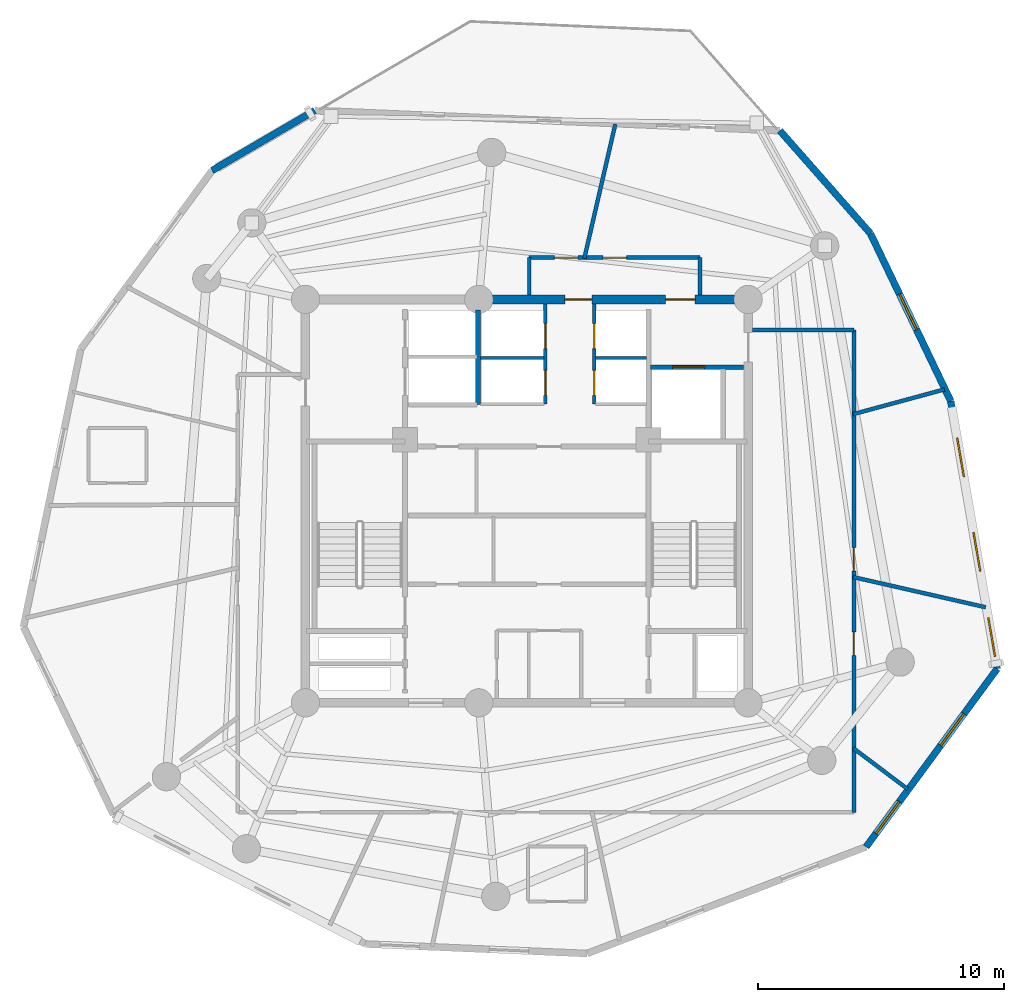
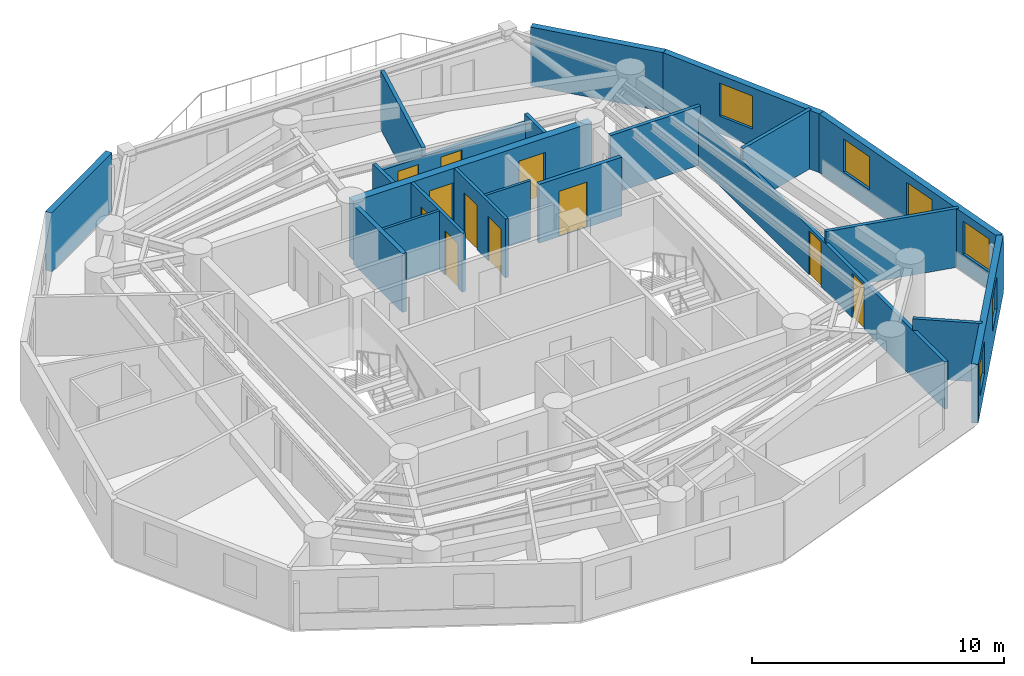
# One storey, part 5 of 8: 21 walls, 11 doors, 6 windows, 17 openings.
"""IFC4 building model written with IfcOpenShell, lengths in metres."""

import ifcopenshell
import ifcopenshell.guid

model = None  # the IFC model being written
_history = None  # IfcOwnerHistory: only IFC2X3 demands one
_inside = {}  # id of a spatial element -> (the spatial element, [elements in it])
_under = {}  # id of a project, library or spatial element -> (it, [spatial elements below it])
_declared = {}  # id of a project -> (the project, [libraries it declares])
_typed = {}  # id of a type object -> (the type object, [elements of that type])
_made_of = {}  # id of a material, layer set ... -> (it, [elements and type objects made of it])


def new_model(schema):
    """Start an empty IFC model of exactly this schema.

    Asked for "IFC4X3", IfcOpenShell would pick the latest addendum, in which some entities
    have other attributes; the version numbers below select the first issue.
    IFC2X3 requires an IfcOwnerHistory on every rooted entity: one is made here for all.
    """
    global model, _history
    if schema == "IFC4X3":
        model = ifcopenshell.file(schema_version=(4, 3, 0, 0))
    else:
        model = ifcopenshell.file(schema=schema)
    _inside.clear()
    _under.clear()
    _declared.clear()
    _typed.clear()
    _made_of.clear()
    _history = None
    if model.schema == "IFC2X3":
        org = make("IfcOrganization", Name="unknown")
        user = make(
            "IfcPersonAndOrganization",
            ThePerson=make("IfcPerson", FamilyName="unknown"),
            TheOrganization=org,
        )
        app = make(
            "IfcApplication",
            ApplicationDeveloper=org,
            Version="unknown",
            ApplicationFullName="unknown",
            ApplicationIdentifier="unknown",
        )
        _history = make(
            "IfcOwnerHistory",
            OwningUser=user,
            OwningApplication=app,
            ChangeAction="ADDED",
            CreationDate=0,
        )
    return model


def make(cls, **values):
    """One entity of the class cls with the attributes given. An attribute that is None is left unset."""
    return model.create_entity(
        cls, **{name: value for name, value in values.items() if value is not None}
    )


def rooted(cls, **values):
    """An entity with a GlobalId (a new one), such as an element, a storey or a relation."""
    return make(cls, GlobalId=ifcopenshell.guid.new(), OwnerHistory=_history, **values)


def si_unit(unit_type, name, prefix=None):
    """IfcSIUnit, for example si_unit("LENGTHUNIT", "METRE", prefix="MILLI")."""
    return make("IfcSIUnit", UnitType=unit_type, Prefix=prefix, Name=name)


def assignment(units):
    """IfcUnitAssignment: the units of a project."""
    return None if units is None else make("IfcUnitAssignment", Units=units)


def point(xyz):
    """IfcCartesianPoint."""
    return None if xyz is None else make("IfcCartesianPoint", Coordinates=xyz)


def direction(xyz):
    """IfcDirection."""
    return None if xyz is None else make("IfcDirection", DirectionRatios=xyz)


def frame(location, z_axis=None, x_axis=None):
    """IfcAxis2Placement3D, a coordinate frame: its origin and axes. An axis left out is left unset."""
    return make(
        "IfcAxis2Placement3D",
        Location=point(location),
        Axis=direction(z_axis),
        RefDirection=direction(x_axis),
    )


def frame_2d(location, x_axis=None):
    """IfcAxis2Placement2D, a coordinate frame in the plane: its origin and x axis."""
    return make(
        "IfcAxis2Placement2D", Location=point(location), RefDirection=direction(x_axis)
    )


def origin():
    """The frame at (0, 0, 0) with its axes left unset."""
    return frame((0.0, 0.0, 0.0))


def origin_with_axes():
    """The frame at (0, 0, 0) with the z axis (0, 0, 1) and the x axis (1, 0, 0) written out."""
    return frame((0.0, 0.0, 0.0), z_axis=(0.0, 0.0, 1.0), x_axis=(1.0, 0.0, 0.0))


def place(relative_to, where):
    """IfcLocalPlacement: puts the frame where relative to a parent placement (None: the world)."""
    return make(
        "IfcLocalPlacement", PlacementRelTo=relative_to, RelativePlacement=where
    )


def context(
    kind, dimensions, precision=None, world=None, true_north=None, identifier=None
):
    """IfcGeometricRepresentationContext, for example the 3D "Model" context."""
    return make(
        "IfcGeometricRepresentationContext",
        ContextIdentifier=identifier,
        ContextType=kind,
        CoordinateSpaceDimension=dimensions,
        Precision=precision,
        WorldCoordinateSystem=world,
        TrueNorth=true_north,
    )


def subcontext(parent, identifier, kind, view, scale=None):
    """IfcGeometricRepresentationSubContext, for example "Body" below "Model"."""
    return make(
        "IfcGeometricRepresentationSubContext",
        ContextIdentifier=identifier,
        ContextType=kind,
        ParentContext=parent,
        TargetScale=scale,
        TargetView=view,
    )


def project(units=None, contexts=None):
    """IfcProject with its units and contexts."""
    return rooted(
        "IfcProject",
        Name="project",
        RepresentationContexts=contexts,
        UnitsInContext=assignment(units),
    )


def spatial(cls, under=None, at=None, **own):
    """A site, building, storey or space (cls), placed at a placement, below another one or the project."""
    s = rooted(cls, ObjectPlacement=at, **own)
    if under is not None:
        _under.setdefault(under.id(), (under, []))[1].append(s)
    return s


def profile(cls, at=None, kind="AREA", **sizes):
    """A parametric profile (cls). Its sizes go by their IFC names, for example OverallWidth=200.0."""
    return make(cls, ProfileType=kind, Position=at, **sizes)


def rectangle(**sizes):
    """IfcRectangleProfileDef."""
    return profile("IfcRectangleProfileDef", **sizes)


def extrude(swept, where, along, depth):
    """IfcExtrudedAreaSolid: the profile swept, set in the frame where, extruded along a direction by depth."""
    return make(
        "IfcExtrudedAreaSolid",
        SweptArea=swept,
        Position=where,
        ExtrudedDirection=direction(along),
        Depth=depth,
    )


def shape(context_of_items, identifier, shape_type, items):
    """IfcShapeRepresentation: the items that make up one representation, for example the "Body"."""
    return make(
        "IfcShapeRepresentation",
        ContextOfItems=context_of_items,
        RepresentationIdentifier=identifier,
        RepresentationType=shape_type,
        Items=items,
    )


def source(mapping_origin, context_of_items, identifier, shape_type, items):
    """IfcRepresentationMap: a shape defined once, which mapped items show again and again."""
    return make(
        "IfcRepresentationMap",
        MappingOrigin=mapping_origin,
        MappedRepresentation=shape(context_of_items, identifier, shape_type, items),
    )


def transform(
    local_origin,
    x_axis=None,
    y_axis=None,
    z_axis=None,
    scale=None,
    scale2=None,
    scale3=None,
    uniform=True,
):
    """IfcCartesianTransformationOperator3D, or its non-uniform kind. x_axis, y_axis, z_axis: its Axis1, 2, 3."""
    if uniform:
        return make(
            "IfcCartesianTransformationOperator3D",
            Axis1=direction(x_axis),
            Axis2=direction(y_axis),
            LocalOrigin=point(local_origin),
            Scale=scale,
            Axis3=direction(z_axis),
        )
    return make(
        "IfcCartesianTransformationOperator3DnonUniform",
        Axis1=direction(x_axis),
        Axis2=direction(y_axis),
        LocalOrigin=point(local_origin),
        Scale=scale,
        Axis3=direction(z_axis),
        Scale2=scale2,
        Scale3=scale3,
    )


def mapped(mapping_source, mapping_target):
    """IfcMappedItem: shows the shape of a source again, moved by a transform."""
    return make(
        "IfcMappedItem", MappingSource=mapping_source, MappingTarget=mapping_target
    )


def material(Name=None, Category=None):
    """IfcMaterial."""
    return make("IfcMaterial", Name=Name, Category=Category)


def layer(
    of_material, thickness, ventilated=None, Name=None, Category=None, Priority=None
):
    """IfcMaterialLayer: one layer of a wall or slab, of a material (None: an air gap)."""
    return make(
        "IfcMaterialLayer",
        Material=of_material,
        LayerThickness=thickness,
        IsVentilated=ventilated,
        Name=Name,
        Category=Category,
        Priority=Priority,
    )


def layer_set(layers, Name=None):
    """IfcMaterialLayerSet."""
    return make("IfcMaterialLayerSet", MaterialLayers=layers, LayerSetName=Name)


def made_of(thing, what):
    """Note that an element or type object is made of a material, layer set ...; save() writes the relation."""
    if what is not None:
        _made_of.setdefault(what.id(), (what, []))[1].append(thing)
    return thing


def type_object(cls, material=None, **own):
    """A type object (cls), such as IfcWallType, which elements share."""
    return made_of(rooted(cls, **own), material)


def element(
    cls,
    number,
    at=None,
    inside=None,
    cuts=None,
    type_object=None,
    material=None,
    context=None,
    identifier="Body",
    shape_type=None,
    held_by="IfcProductDefinitionShape",
    body=None,
    shapes=None,
    **own,
):
    """One element of the class cls, such as IfcWall. Its Tag is "e" and its number.

    at: its placement. inside: the storey or other place that contains it. cuts: it is an
    opening in that element (IfcRelVoidsElement). A single representation is given by context,
    identifier, shape_type and body (its items); several are given by shapes. held_by: the class
    of the entity that holds the representations. save() writes the other relations.
    """
    e = rooted(cls, Tag="e%d" % number, ObjectPlacement=at, **own)
    if body is not None:
        shapes = [shape(context, identifier, shape_type, body)]
    if shapes is not None:
        e.Representation = make(held_by, Representations=shapes)
    if inside is not None:
        _inside.setdefault(inside.id(), (inside, []))[1].append(e)
    if cuts is not None:
        rooted(
            "IfcRelVoidsElement", RelatingBuildingElement=cuts, RelatedOpeningElement=e
        )
    if type_object is not None:
        _typed.setdefault(type_object.id(), (type_object, []))[1].append(e)
    return made_of(e, material)


def fill(opening, filler):
    """IfcRelFillsElement: the door or window that sits in an opening."""
    return rooted(
        "IfcRelFillsElement",
        RelatingOpeningElement=opening,
        RelatedBuildingElement=filler,
    )


def aggregate(whole, parts):
    """IfcRelAggregates: a whole, such as a stair, and the parts it consists of."""
    return rooted("IfcRelAggregates", RelatingObject=whole, RelatedObjects=parts)


def save(model, path):
    """Write the relations noted so far, then the file.

    IfcRelAggregates (storeys below a building ...), IfcRelContainedInSpatialStructure (elements
    in a storey), IfcRelDefinesByType, IfcRelAssociatesMaterial and IfcRelDeclares: one each for
    every whole, place, type object, material and project.
    """
    for whole, parts in _under.values():
        aggregate(whole, parts)
    for where, things in _inside.values():
        rooted(
            "IfcRelContainedInSpatialStructure",
            RelatedElements=things,
            RelatingStructure=where,
        )
    for kind, things in _typed.values():
        rooted("IfcRelDefinesByType", RelatedObjects=things, RelatingType=kind)
    for what, things in _made_of.values():
        rooted("IfcRelAssociatesMaterial", RelatedObjects=things, RelatingMaterial=what)
    for by, libraries in _declared.values():
        rooted("IfcRelDeclares", RelatingContext=by, RelatedDefinitions=libraries)
    model.write(path)


model = new_model("IFC4")

# Units and contexts
model_context = context("Model", 3, precision=1e-05, world=origin(), true_north=direction((0.0, 1.0)))
body_context = subcontext(model_context, "Body", "Model", "MODEL_VIEW")
ifc_project = project(units=[si_unit("LENGTHUNIT", "METRE"), si_unit("AREAUNIT", "SQUARE_METRE"), si_unit("VOLUMEUNIT", "CUBIC_METRE"), si_unit("PLANEANGLEUNIT", "RADIAN"), si_unit("MASSUNIT", "GRAM", prefix="KILO")], contexts=[model_context])

# Site, building, storey
site_placement = place(None, origin())
site = spatial("IfcSite", under=ifc_project, at=site_placement, CompositionType="ELEMENT")
building_placement = place(site_placement, origin())
building = spatial("IfcBuilding", under=site, at=building_placement, Name="Karkom Vertical University and Central Library", CompositionType="ELEMENT")
storey_placement = place(building_placement, frame((0.0, 0.0, 250.449951171875)))
storey = spatial("IfcBuildingStorey", under=building, at=storey_placement, Name="L74", CompositionType="ELEMENT", Elevation=250.449951171875)

# Wall, openings, windows
ifc_material_1 = material(Name="Brick-faced precast concrete C45/55", Category="masonry")
ifc_layer_1 = layer(ifc_material_1, 0.280029296875)
ifc_layer_set_1 = layer_set([ifc_layer_1], Name="Brick-faced precast concrete C45/55")
wall_type_1 = type_object("IfcWallType", Name="ENV-WL-BRK-280", PredefinedType="SOLIDWALL", material=ifc_layer_set_1)
wall_1_placement = place(storey_placement, frame((42.2958984375, 12.438720703125, 0.0), z_axis=(0.0, 0.0, 1.0), x_axis=(0.592559902782, 0.805526387907, 0.0)))
wall_1 = element("IfcWall", 1, at=wall_1_placement, inside=storey, type_object=wall_type_1, Name="Level 74 Brick-Faced Precast Facade Wall 04", PredefinedType="SOLIDWALL", context=body_context, shape_type="SweptSolid", body=[
    extrude(rectangle(XDim=8.993408203125, YDim=0.280029296875, at=frame_2d((4.49658203125, 0.0))), origin(), (0.0, 0.0, 1.0), 2.85009765625),
])
opening_1_placement = place(wall_1_placement, frame((0.6796875, 0.0, 0.85009765625)))
opening_1 = element("IfcOpeningElement", 2, at=opening_1_placement, cuts=wall_1, Name="Opening WN-10", PredefinedType="OPENING", context=body_context, shape_type="SweptSolid", body=[
    extrude(rectangle(XDim=1.60009765625, YDim=1.60009765625, at=frame_2d((0.800048828125, 0.800048828125))), frame((0.0, 0.14990234375, 0.0), z_axis=(0.0, -1.0, 0.0), x_axis=(1.0, 0.0, 0.0)), (0.0, 0.0, 1.0), 0.300048828125),
])
opening_2_placement = place(wall_1_placement, frame((5.116455078125, 0.0, 0.85009765625)))
opening_2 = element("IfcOpeningElement", 3, at=opening_2_placement, cuts=wall_1, Name="Opening WN-10", PredefinedType="OPENING", context=body_context, shape_type="SweptSolid", body=[
    extrude(rectangle(XDim=1.60009765625, YDim=1.60009765625, at=frame_2d((0.800048828125, 0.800048828125))), frame((0.0, 0.14990234375, 0.0), z_axis=(0.0, -1.0, 0.0), x_axis=(1.0, 0.0, 0.0)), (0.0, 0.0, 1.0), 0.300048828125),
])
ifc_material_2 = material(Name="Aluminium thermal-break frame with solar-control IGU", Category="aluminium")
window_type = type_object("IfcWindowType", Name="ENV-WIN-WN-10", PartitioningType="SINGLE_PANEL", PredefinedType="WINDOW", material=ifc_material_2)
shared_shape_1 = source(origin_with_axes(), body_context, "Body", "SweptSolid", [
    extrude(rectangle(XDim=1.60009765625, YDim=1.60009765625, at=frame_2d((0.800048828125, 0.800048828125))), frame((0.0, 0.030029296875, 0.0), z_axis=(0.0, -1.0, 0.0), x_axis=(1.0, 0.0, 0.0)), (0.0, 0.0, 1.0), 0.06005859375),
])
window_1_placement = place(opening_1_placement, origin())
window_1 = element("IfcWindow", 4, at=window_1_placement, inside=storey, type_object=window_type, Name="Level 74 Punched Window 4.1", OverallHeight=1.60009765625, OverallWidth=1.60009765625, PartitioningType="SINGLE_PANEL", PredefinedType="WINDOW", context=body_context, shape_type="MappedRepresentation", body=[
    mapped(shared_shape_1, transform((0.0, 0.0, 0.0), scale=1.0)),
])
fill(opening_1, window_1)
window_2_placement = place(opening_2_placement, origin())
window_2 = element("IfcWindow", 5, at=window_2_placement, inside=storey, type_object=window_type, Name="Level 74 Punched Window 4.2", OverallHeight=1.60009765625, OverallWidth=1.60009765625, PartitioningType="SINGLE_PANEL", PredefinedType="WINDOW", context=body_context, shape_type="MappedRepresentation", body=[
    mapped(shared_shape_1, transform((0.0, 0.0, 0.0), scale=1.0)),
])
fill(opening_2, window_2)

wall_2_placement = place(storey_placement, frame((47.625, 19.68310546875, 0.0), z_axis=(0.0, 0.0, 1.0), x_axis=(-0.170672613097, 0.985327792736, 0.0)))
wall_2 = element("IfcWall", 6, at=wall_2_placement, inside=storey, type_object=wall_type_1, Name="Level 74 Brick-Faced Precast Facade Wall 05", PredefinedType="SOLIDWALL", context=body_context, shape_type="SweptSolid", body=[
    extrude(rectangle(XDim=11.05029296875, YDim=0.280029296875, at=frame_2d((5.525146484375, 0.0))), origin(), (0.0, 0.0, 1.0), 2.85009765625),
])
opening_3_placement = place(wall_2_placement, frame((0.5087890625, 0.0, 0.85009765625)))
opening_3 = element("IfcOpeningElement", 7, at=opening_3_placement, cuts=wall_2, Name="Opening WN-10", PredefinedType="OPENING", context=body_context, shape_type="SweptSolid", body=[
    extrude(rectangle(XDim=1.60009765625, YDim=1.60009765625, at=frame_2d((0.800048828125, 0.800048828125))), frame((0.0, 0.14990234375, 0.0), z_axis=(0.0, -1.0, 0.0), x_axis=(1.0, 0.0, 0.0)), (0.0, 0.0, 1.0), 0.300048828125),
])
opening_4_placement = place(wall_2_placement, frame((4.025634765625, 0.0, 0.85009765625)))
opening_4 = element("IfcOpeningElement", 8, at=opening_4_placement, cuts=wall_2, Name="Opening WN-10", PredefinedType="OPENING", context=body_context, shape_type="SweptSolid", body=[
    extrude(rectangle(XDim=1.60009765625, YDim=1.60009765625, at=frame_2d((0.800048828125, 0.800048828125))), frame((0.0, 0.14990234375, 0.0), z_axis=(0.0, -1.0, 0.0), x_axis=(1.0, 0.0, 0.0)), (0.0, 0.0, 1.0), 0.300048828125),
])
opening_5_placement = place(wall_2_placement, frame((7.922119140625, 0.0, 0.85009765625)))
opening_5 = element("IfcOpeningElement", 9, at=opening_5_placement, cuts=wall_2, Name="Opening WN-10", PredefinedType="OPENING", context=body_context, shape_type="SweptSolid", body=[
    extrude(rectangle(XDim=1.60009765625, YDim=1.60009765625, at=frame_2d((0.800048828125, 0.800048828125))), frame((0.0, 0.14990234375, 0.0), z_axis=(0.0, -1.0, 0.0), x_axis=(1.0, 0.0, 0.0)), (0.0, 0.0, 1.0), 0.300048828125),
])
window_3_placement = place(opening_3_placement, origin())
window_3 = element("IfcWindow", 10, at=window_3_placement, inside=storey, type_object=window_type, Name="Level 74 Punched Window 5.1", OverallHeight=1.60009765625, OverallWidth=1.60009765625, PartitioningType="SINGLE_PANEL", PredefinedType="WINDOW", context=body_context, shape_type="MappedRepresentation", body=[
    mapped(shared_shape_1, transform((0.0, 0.0, 0.0), scale=1.0)),
])
fill(opening_3, window_3)
window_4_placement = place(opening_4_placement, origin())
window_4 = element("IfcWindow", 11, at=window_4_placement, inside=storey, type_object=window_type, Name="Level 74 Punched Window 5.2", OverallHeight=1.60009765625, OverallWidth=1.60009765625, PartitioningType="SINGLE_PANEL", PredefinedType="WINDOW", context=body_context, shape_type="MappedRepresentation", body=[
    mapped(shared_shape_1, transform((0.0, 0.0, 0.0), scale=1.0)),
])
fill(opening_4, window_4)
window_5_placement = place(opening_5_placement, origin())
window_5 = element("IfcWindow", 12, at=window_5_placement, inside=storey, type_object=window_type, Name="Level 74 Punched Window 5.3", OverallHeight=1.60009765625, OverallWidth=1.60009765625, PartitioningType="SINGLE_PANEL", PredefinedType="WINDOW", context=body_context, shape_type="MappedRepresentation", body=[
    mapped(shared_shape_1, transform((0.0, 0.0, 0.0), scale=1.0)),
])
fill(opening_5, window_5)

# Wall, opening, window
wall_3_placement = place(storey_placement, frame((45.739013671875, 30.5712890625, 0.0), z_axis=(0.0, 0.0, 1.0), x_axis=(-0.432090063986, 0.901830458903, 0.0)))
wall_3 = element("IfcWall", 13, at=wall_3_placement, inside=storey, type_object=wall_type_1, Name="Level 74 Brick-Faced Precast Facade Wall 06", PredefinedType="SOLIDWALL", context=body_context, shape_type="SweptSolid", body=[
    extrude(rectangle(XDim=7.554443359375, YDim=0.280029296875, at=frame_2d((3.77734375, 0.0))), origin(), (0.0, 0.0, 1.0), 2.85009765625),
])
opening_6_placement = place(wall_3_placement, frame((3.218017578125, 0.0, 0.85009765625)))
opening_6 = element("IfcOpeningElement", 14, at=opening_6_placement, cuts=wall_3, Name="Opening WN-10", PredefinedType="OPENING", context=body_context, shape_type="SweptSolid", body=[
    extrude(rectangle(XDim=1.60009765625, YDim=1.60009765625, at=frame_2d((0.800048828125, 0.800048828125))), frame((0.0, 0.14990234375, 0.0), z_axis=(0.0, -1.0, 0.0), x_axis=(1.0, 0.0, 0.0)), (0.0, 0.0, 1.0), 0.300048828125),
])
window_6_placement = place(opening_6_placement, origin())
window_6 = element("IfcWindow", 15, at=window_6_placement, inside=storey, type_object=window_type, Name="Level 74 Punched Window 6.1", OverallHeight=1.60009765625, OverallWidth=1.60009765625, PartitioningType="SINGLE_PANEL", PredefinedType="WINDOW", context=body_context, shape_type="MappedRepresentation", body=[
    mapped(shared_shape_1, transform((0.0, 0.0, 0.0), scale=1.0)),
])
fill(opening_6, window_6)

# Walls
wall_4_placement = place(storey_placement, frame((42.474853515625, 37.384033203125, 0.0), z_axis=(0.0, 0.0, 1.0), x_axis=(-0.660950688605, 0.75042933527, 0.0)))
element("IfcWall", 16, at=wall_4_placement, inside=storey, type_object=wall_type_1, Name="Level 74 Brick-Faced Precast Facade Wall 07", PredefinedType="SOLIDWALL", context=body_context, shape_type="SweptSolid", body=[
    extrude(rectangle(XDim=5.57421875, YDim=0.280029296875, at=frame_2d((2.787109375, 0.0))), origin(), (0.0, 0.0, 1.0), 2.85009765625),
])
wall_5_placement = place(storey_placement, frame((19.8779296875, 42.3798828125, 0.0), z_axis=(0.0, 0.0, 1.0), x_axis=(-0.863637926216, -0.504112618768, 0.0)))
element("IfcWall", 17, at=wall_5_placement, inside=storey, type_object=wall_type_1, Name="Level 74 Brick-Faced Precast Facade Wall 09", PredefinedType="SOLIDWALL", context=body_context, shape_type="SweptSolid", body=[
    extrude(rectangle(XDim=4.837646484375, YDim=0.280029296875, at=frame_2d((2.4189453125, 0.0))), origin(), (0.0, 0.0, 1.0), 2.85009765625),
])

# Wall, openings, doors
ifc_material_3 = material(Name="Insulated metal-stud drywall 160mm", Category="gypsum")
ifc_layer_2 = layer(ifc_material_3, 0.159912109375)
ifc_layer_set_2 = layer_set([ifc_layer_2], Name="Insulated metal-stud drywall 160mm")
wall_type_2 = type_object("IfcWallType", Name="INT-WL-COR-160", PredefinedType="PARTITIONING", material=ifc_layer_set_2)
wall_6_placement = place(storey_placement, frame((41.800048828125, 33.449951171875, 0.0), z_axis=(0.0, 0.0, 1.0), x_axis=(0.0, -1.0, 0.0)))
wall_6 = element("IfcWall", 18, at=wall_6_placement, inside=storey, type_object=wall_type_2, Name="Level 74 Interior Partition Wall L74-CORW-CW-005", PredefinedType="PARTITIONING", context=body_context, shape_type="SweptSolid", body=[
    extrude(rectangle(XDim=19.599853515625, YDim=0.159912109375, at=frame_2d((9.7998046875, 0.0))), origin(), (0.0, 0.0, 1.0), 2.300048828125),
])
opening_7_placement = place(wall_6_placement, frame((12.264892578125, 0.0, 0.0)))
opening_7 = element("IfcOpeningElement", 19, at=opening_7_placement, cuts=wall_6, Name="Opening FD-RM2", PredefinedType="OPENING", context=body_context, shape_type="SweptSolid", body=[
    extrude(rectangle(XDim=0.9599609375, YDim=2.14990234375, at=frame_2d((0.47998046875, 1.074951171875))), frame((0.0, 0.08984375, 0.0), z_axis=(0.0, -1.0, 0.0), x_axis=(1.0, 0.0, 0.0)), (0.0, 0.0, 1.0), 0.179931640625),
])
opening_8_placement = place(wall_6_placement, frame((8.8349609375, 0.0, 0.0)))
opening_8 = element("IfcOpeningElement", 20, at=opening_8_placement, cuts=wall_6, Name="Opening FD-RM2", PredefinedType="OPENING", context=body_context, shape_type="SweptSolid", body=[
    extrude(rectangle(XDim=0.9599609375, YDim=2.14990234375, at=frame_2d((0.47998046875, 1.074951171875))), frame((0.0, 0.08984375, 0.0), z_axis=(0.0, -1.0, 0.0), x_axis=(1.0, 0.0, 0.0)), (0.0, 0.0, 1.0), 0.179931640625),
])
ifc_material_4 = material(Name="Fire-rated oak veneer door", Category="wood")
door_type_1 = type_object("IfcDoorType", Name="INT-DR-FRM2", OperationType="NOTDEFINED", PredefinedType="DOOR", material=ifc_material_4)
shared_shape_2 = source(origin_with_axes(), body_context, "Body", "SweptSolid", [
    extrude(rectangle(XDim=0.9599609375, YDim=2.14990234375, at=frame_2d((0.47998046875, 1.074951171875))), frame((0.0, 0.02490234375, 0.0), z_axis=(0.0, -1.0, 0.0), x_axis=(1.0, 0.0, 0.0)), (0.0, 0.0, 1.0), 0.050048828125),
])
door_1_placement = place(opening_7_placement, origin())
door_1 = element("IfcDoor", 21, at=door_1_placement, inside=storey, type_object=door_type_1, Name="Level 74 Room Entry Door 306", OperationType="SINGLE_SWING_RIGHT", OverallHeight=2.14990234375, OverallWidth=0.9599609375, PredefinedType="DOOR", context=body_context, shape_type="MappedRepresentation", body=[
    mapped(shared_shape_2, transform((0.0, 0.0, 0.0), scale=1.0)),
])
fill(opening_7, door_1)
door_2_placement = place(opening_8_placement, origin())
door_2 = element("IfcDoor", 22, at=door_2_placement, inside=storey, type_object=door_type_1, Name="Level 74 Room Entry Door 307", OperationType="SINGLE_SWING_LEFT", OverallHeight=2.14990234375, OverallWidth=0.9599609375, PredefinedType="DOOR", context=body_context, shape_type="MappedRepresentation", body=[
    mapped(shared_shape_2, transform((0.0, 0.0, 0.0), scale=1.0)),
])
fill(opening_8, door_2)

wall_7_placement = place(storey_placement, frame((28.60009765625, 36.39990234375, 0.0), z_axis=(0.0, 0.0, 1.0), x_axis=(1.0, 0.0, 0.0)))
wall_7 = element("IfcWall", 23, at=wall_7_placement, inside=storey, type_object=wall_type_2, Name="Level 74 Interior Partition Wall L74-CORW-CW-007", PredefinedType="PARTITIONING", context=body_context, shape_type="SweptSolid", body=[
    extrude(rectangle(XDim=6.949951171875, YDim=0.159912109375, at=frame_2d((3.47509765625, 0.0))), origin(), (0.0, 0.0, 1.0), 2.449951171875),
])
opening_9_placement = place(wall_7_placement, frame((3.0, 0.0, 0.0)))
opening_9 = element("IfcOpeningElement", 24, at=opening_9_placement, cuts=wall_7, Name="Opening FD-RM2", PredefinedType="OPENING", context=body_context, shape_type="SweptSolid", body=[
    extrude(rectangle(XDim=0.9599609375, YDim=2.14990234375, at=frame_2d((0.47998046875, 1.074951171875))), frame((0.0, 0.08984375, 0.0), z_axis=(0.0, -1.0, 0.0), x_axis=(1.0, 0.0, 0.0)), (0.0, 0.0, 1.0), 0.179931640625),
])
opening_10_placement = place(wall_7_placement, frame((1.0224609375, 0.0, 0.0)))
opening_10 = element("IfcOpeningElement", 25, at=opening_10_placement, cuts=wall_7, Name="Opening FD-RM2", PredefinedType="OPENING", context=body_context, shape_type="SweptSolid", body=[
    extrude(rectangle(XDim=0.9599609375, YDim=2.14990234375, at=frame_2d((0.47998046875, 1.074951171875))), frame((0.0, 0.08984375, 0.0), z_axis=(0.0, -1.0, 0.0), x_axis=(1.0, 0.0, 0.0)), (0.0, 0.0, 1.0), 0.179931640625),
])
door_3_placement = place(opening_9_placement, origin())
door_3 = element("IfcDoor", 26, at=door_3_placement, inside=storey, type_object=door_type_1, Name="Level 74 Room Entry Door 308", OperationType="SINGLE_SWING_RIGHT", OverallHeight=2.14990234375, OverallWidth=0.9599609375, PredefinedType="DOOR", context=body_context, shape_type="MappedRepresentation", body=[
    mapped(shared_shape_2, transform((0.0, 0.0, 0.0), scale=1.0)),
])
fill(opening_9, door_3)
door_4_placement = place(opening_10_placement, origin())
door_4 = element("IfcDoor", 27, at=door_4_placement, inside=storey, type_object=door_type_1, Name="Level 74 Room Entry Door 309", OperationType="SINGLE_SWING_LEFT", OverallHeight=2.14990234375, OverallWidth=0.9599609375, PredefinedType="DOOR", context=body_context, shape_type="MappedRepresentation", body=[
    mapped(shared_shape_2, transform((0.0, 0.0, 0.0), scale=1.0)),
])
fill(opening_10, door_4)

# Walls
wall_8_placement = place(storey_placement, frame((30.84033203125, 36.370849609375, 0.0), z_axis=(0.0, 0.0, 1.0), x_axis=(0.224990017286, 0.974361068661, 0.0)))
element("IfcWall", 28, at=wall_8_placement, inside=storey, type_object=wall_type_2, Name="Level 74 Interior Partition Wall L74-PW-011", PredefinedType="PARTITIONING", context=body_context, shape_type="SweptSolid", body=[
    extrude(rectangle(XDim=5.601318359375, YDim=0.159912109375, at=frame_2d((2.80078125, 0.0))), origin(), (0.0, 0.0, 1.0), 2.85009765625),
])
wall_9_placement = place(storey_placement, frame((41.770751953125, 23.41357421875, 0.0), z_axis=(0.0, 0.0, 1.0), x_axis=(0.974991250111, -0.222243250082, 0.0)))
element("IfcWall", 29, at=wall_9_placement, inside=storey, type_object=wall_type_2, Name="Level 74 Interior Partition Wall L74-PW-009", PredefinedType="PARTITIONING", context=body_context, shape_type="SweptSolid", body=[
    extrude(rectangle(XDim=5.52880859375, YDim=0.159912109375, at=frame_2d((2.764404296875, 0.0))), origin(), (0.0, 0.0, 1.0), 2.85009765625),
])
wall_10_placement = place(storey_placement, frame((37.681884765625, 33.449951171875, 0.0), z_axis=(0.0, 0.0, 1.0), x_axis=(1.0, 0.0, 0.0)))
element("IfcWall", 30, at=wall_10_placement, inside=storey, type_object=wall_type_2, Name="Level 74 Interior Partition Wall L74-CORW-CW-004", PredefinedType="PARTITIONING", context=body_context, shape_type="SweptSolid", body=[
    extrude(rectangle(XDim=4.1181640625, YDim=0.159912109375, at=frame_2d((2.05908203125, 0.0))), origin(), (0.0, 0.0, 1.0), 2.85009765625),
])
wall_11_placement = place(storey_placement, frame((41.77099609375, 30.035888671875, 0.0), z_axis=(0.0, 0.0, 1.0), x_axis=(0.965147934971, 0.261704917077, 0.0)))
element("IfcWall", 31, at=wall_11_placement, inside=storey, type_object=wall_type_2, Name="Level 74 Interior Partition Wall L74-PW-010", PredefinedType="PARTITIONING", context=body_context, shape_type="SweptSolid", body=[
    extrude(rectangle(XDim=3.84716796875, YDim=0.159912109375, at=frame_2d((1.923583984375, 0.0))), origin(), (0.0, 0.0, 1.0), 2.85009765625),
])
wall_12_placement = place(storey_placement, frame((41.77587890625, 16.45458984375, 0.0), z_axis=(0.0, 0.0, 1.0), x_axis=(0.799651310339, -0.60046463832, 0.0)))
element("IfcWall", 32, at=wall_12_placement, inside=storey, type_object=wall_type_2, Name="Level 74 Interior Partition Wall L74-PW-008", PredefinedType="PARTITIONING", context=body_context, shape_type="SweptSolid", body=[
    extrude(rectangle(XDim=2.773681640625, YDim=0.159912109375, at=frame_2d((1.38671875, 0.0))), origin(), (0.0, 0.0, 1.0), 2.85009765625),
])
for number, where, z_axis, x_axis, name in (
    (33, (28.60009765625, 34.882080078125, 0.0), (0.0, 0.0, 1.0), (0.0, 1.0, 0.0), "Level 74 Interior Partition Wall L74-CORW-CW-006"),
    (34, (35.550048828125, 36.39990234375, 0.0), (0.0, 0.0, 1.0), (0.0, -1.0, 0.0), "Level 74 Interior Partition Wall L74-CORW-CW-008"),
):
    element("IfcWall", number, at=place(storey_placement, frame(where, z_axis=z_axis, x_axis=x_axis)), inside=storey, type_object=wall_type_2, Name=name, PredefinedType="PARTITIONING", context=body_context, shape_type="SweptSolid", body=[
        extrude(rectangle(XDim=1.517822265625, YDim=0.159912109375, at=frame_2d((0.7587890625, 0.0))), origin(), (0.0, 0.0, 1.0), 2.85009765625),
    ])
ifc_material_5 = material(Name="Moisture-resistant drywall 120mm", Category="gypsum")
ifc_layer_3 = layer(ifc_material_5, 0.1201171875)
ifc_layer_set_3 = layer_set([ifc_layer_3], Name="Moisture-resistant drywall 120mm")
wall_type_3 = type_object("IfcWallType", Name="INT-WL-INT-120H", PredefinedType="PARTITIONING", material=ifc_layer_set_3)
wall_13_placement = place(storey_placement, frame((26.6201171875, 32.320068359375, 0.0), z_axis=(0.0, 0.0, 1.0), x_axis=(1.0, 0.0, 0.0)))
element("IfcWall", 35, at=wall_13_placement, inside=storey, type_object=wall_type_3, Name="Level 74 Interior Partition Wall L74-CW-PH-MW", PredefinedType="PARTITIONING", context=body_context, shape_type="SweptSolid", body=[
    extrude(rectangle(XDim=2.579833984375, YDim=0.1201171875, at=frame_2d((1.2900390625, 0.0))), origin(), (0.0, 0.0, 1.0), 2.85009765625),
])
wall_14_placement = place(storey_placement, frame((31.300048828125, 32.320068359375, 0.0), z_axis=(0.0, 0.0, 1.0), x_axis=(1.0, 0.0, 0.0)))
element("IfcWall", 36, at=wall_14_placement, inside=storey, type_object=wall_type_3, Name="Level 74 Interior Partition Wall L74-CW-PH-ME", PredefinedType="PARTITIONING", context=body_context, shape_type="SweptSolid", body=[
    extrude(rectangle(XDim=2.074951171875, YDim=0.1201171875, at=frame_2d((1.03759765625, 0.0))), origin(), (0.0, 0.0, 1.0), 2.85009765625),
])

# Wall, openings, doors
ifc_material_6 = material(Name="Metal-stud gypsum partition 140mm", Category="gypsum")
ifc_layer_4 = layer(ifc_material_6, 0.139892578125)
ifc_layer_set_4 = layer_set([ifc_layer_4], Name="Metal-stud gypsum partition 140mm")
wall_type_4 = type_object("IfcWallType", Name="INT-WL-SUB-140H", PredefinedType="PARTITIONING", material=ifc_layer_set_4)
wall_15_placement = place(storey_placement, frame((29.260009765625, 30.449951171875, 0.0), z_axis=(0.0, 0.0, 1.0), x_axis=(0.0, 1.0, 0.0)))
wall_15 = element("IfcWall", 37, at=wall_15_placement, inside=storey, type_object=wall_type_4, Name="Level 74 Interior Partition Wall L74-CW-PH-W", PredefinedType="PARTITIONING", context=body_context, shape_type="SweptSolid", body=[
    extrude(rectangle(XDim=4.068115234375, YDim=0.139892578125, at=frame_2d((2.0341796875, 0.0))), origin(), (0.0, 0.0, 1.0), 2.85009765625),
])
opening_11_placement = place(wall_15_placement, frame((0.35009765625, 0.0, 0.0)))
opening_11 = element("IfcOpeningElement", 38, at=opening_11_placement, cuts=wall_15, Name="Opening LD-PH", PredefinedType="OPENING", context=body_context, shape_type="SweptSolid", body=[
    extrude(rectangle(XDim=1.02001953125, YDim=2.14990234375, at=frame_2d((0.510009765625, 1.074951171875))), frame((0.0, 0.080078125, 0.0), z_axis=(0.0, -1.0, 0.0), x_axis=(1.0, 0.0, 0.0)), (0.0, 0.0, 1.0), 0.159912109375),
])
opening_12_placement = place(wall_15_placement, frame((2.25, 0.0, 0.0)))
opening_12 = element("IfcOpeningElement", 39, at=opening_12_placement, cuts=wall_15, Name="Opening LD-PH", PredefinedType="OPENING", context=body_context, shape_type="SweptSolid", body=[
    extrude(rectangle(XDim=1.02001953125, YDim=2.14990234375, at=frame_2d((0.510009765625, 1.074951171875))), frame((0.0, 0.080078125, 0.0), z_axis=(0.0, -1.0, 0.0), x_axis=(1.0, 0.0, 0.0)), (0.0, 0.0, 1.0), 0.159912109375),
])
ifc_material_7 = material(Name="Brushed stainless-steel landing door", Category="steel")
door_type_2 = type_object("IfcDoorType", Name="INT-DR-LD-PH", OperationType="SLIDING_TO_LEFT", PredefinedType="DOOR", material=ifc_material_7)
shared_shape_3 = source(origin_with_axes(), body_context, "Body", "SweptSolid", [
    extrude(rectangle(XDim=1.02001953125, YDim=2.14990234375, at=frame_2d((0.510009765625, 1.074951171875))), frame((0.0, 0.02490234375, 0.0), z_axis=(0.0, -1.0, 0.0), x_axis=(1.0, 0.0, 0.0)), (0.0, 0.0, 1.0), 0.050048828125),
])
door_5_placement = place(opening_11_placement, origin())
door_5 = element("IfcDoor", 40, at=door_5_placement, inside=storey, type_object=door_type_2, Name="Level 74 Lift PH-1 Landing Door", OperationType="SLIDING_TO_LEFT", OverallHeight=2.14990234375, OverallWidth=1.02001953125, PredefinedType="DOOR", context=body_context, shape_type="MappedRepresentation", body=[
    mapped(shared_shape_3, transform((0.0, 0.0, 0.0), scale=1.0)),
])
fill(opening_11, door_5)
door_6_placement = place(opening_12_placement, origin())
door_6 = element("IfcDoor", 41, at=door_6_placement, inside=storey, type_object=door_type_2, Name="Level 74 Lift PH-2 Landing Door", OperationType="SLIDING_TO_LEFT", OverallHeight=2.14990234375, OverallWidth=1.02001953125, PredefinedType="DOOR", context=body_context, shape_type="MappedRepresentation", body=[
    mapped(shared_shape_3, transform((0.0, 0.0, 0.0), scale=1.0)),
])
fill(opening_12, door_6)

wall_16_placement = place(storey_placement, frame((31.239990234375, 30.449951171875, 0.0), z_axis=(0.0, 0.0, 1.0), x_axis=(0.0, 1.0, 0.0)))
wall_16 = element("IfcWall", 42, at=wall_16_placement, inside=storey, type_object=wall_type_4, Name="Level 74 Interior Partition Wall L74-CW-PH-E", PredefinedType="PARTITIONING", context=body_context, shape_type="SweptSolid", body=[
    extrude(rectangle(XDim=4.068115234375, YDim=0.139892578125, at=frame_2d((2.0341796875, 0.0))), origin(), (0.0, 0.0, 1.0), 2.85009765625),
])
opening_13_placement = place(wall_16_placement, frame((0.35009765625, 0.0, 0.0)))
opening_13 = element("IfcOpeningElement", 43, at=opening_13_placement, cuts=wall_16, Name="Opening LD-PH", PredefinedType="OPENING", context=body_context, shape_type="SweptSolid", body=[
    extrude(rectangle(XDim=1.02001953125, YDim=2.14990234375, at=frame_2d((0.510009765625, 1.074951171875))), frame((0.0, 0.080078125, 0.0), z_axis=(0.0, -1.0, 0.0), x_axis=(1.0, 0.0, 0.0)), (0.0, 0.0, 1.0), 0.159912109375),
])
opening_14_placement = place(wall_16_placement, frame((2.25, 0.0, 0.0)))
opening_14 = element("IfcOpeningElement", 44, at=opening_14_placement, cuts=wall_16, Name="Opening LD-PH", PredefinedType="OPENING", context=body_context, shape_type="SweptSolid", body=[
    extrude(rectangle(XDim=1.02001953125, YDim=2.14990234375, at=frame_2d((0.510009765625, 1.074951171875))), frame((0.0, 0.080078125, 0.0), z_axis=(0.0, -1.0, 0.0), x_axis=(1.0, 0.0, 0.0)), (0.0, 0.0, 1.0), 0.159912109375),
])
door_7_placement = place(opening_13_placement, origin())
door_7 = element("IfcDoor", 45, at=door_7_placement, inside=storey, type_object=door_type_2, Name="Level 74 Lift PH-3 Landing Door", OperationType="SLIDING_TO_LEFT", OverallHeight=2.14990234375, OverallWidth=1.02001953125, PredefinedType="DOOR", context=body_context, shape_type="MappedRepresentation", body=[
    mapped(shared_shape_3, transform((0.0, 0.0, 0.0), scale=1.0)),
])
fill(opening_13, door_7)
door_8_placement = place(opening_14_placement, origin())
door_8 = element("IfcDoor", 46, at=door_8_placement, inside=storey, type_object=door_type_2, Name="Level 74 Lift PH-4 Landing Door", OperationType="SLIDING_TO_LEFT", OverallHeight=2.14990234375, OverallWidth=1.02001953125, PredefinedType="DOOR", context=body_context, shape_type="MappedRepresentation", body=[
    mapped(shared_shape_3, transform((0.0, 0.0, 0.0), scale=1.0)),
])
fill(opening_14, door_8)

# Wall, opening, door
ifc_material_8 = material(Name="Twin-stud acoustic drywall 180mm", Category="gypsum")
ifc_layer_5 = layer(ifc_material_8, 0.179931640625)
ifc_layer_set_5 = layer_set([ifc_layer_5], Name="Twin-stud acoustic drywall 180mm")
wall_type_5 = type_object("IfcWallType", Name="INT-WL-TEN-180F", PredefinedType="PARTITIONING", material=ifc_layer_set_5)
wall_17_placement = place(storey_placement, frame((33.534912109375, 31.949951171875, 0.0), z_axis=(0.0, 0.0, 1.0), x_axis=(1.0, 0.0, 0.0)))
wall_17 = element("IfcWall", 47, at=wall_17_placement, inside=storey, type_object=wall_type_5, Name="Level 74 Interior Partition Wall L74-CW-SVL-N", PredefinedType="PARTITIONING", context=body_context, shape_type="SweptSolid", body=[
    extrude(rectangle(XDim=3.783935546875, YDim=0.179931640625, at=frame_2d((1.89208984375, 0.0))), origin(), (0.0, 0.0, 1.0), 2.85009765625),
])
opening_15_placement = place(wall_17_placement, frame((0.89990234375, 0.0, 0.0)))
opening_15 = element("IfcOpeningElement", 48, at=opening_15_placement, cuts=wall_17, Name="Opening LD-SV1", PredefinedType="OPENING", context=body_context, shape_type="SweptSolid", body=[
    extrude(rectangle(XDim=1.300048828125, YDim=2.199951171875, at=frame_2d((0.64990234375, 1.10009765625))), frame((0.0, 0.10009765625, 0.0), z_axis=(0.0, -1.0, 0.0), x_axis=(1.0, 0.0, 0.0)), (0.0, 0.0, 1.0), 0.199951171875),
])
door_type_3 = type_object("IfcDoorType", Name="INT-DR-LD-SV1", OperationType="SLIDING_TO_LEFT", PredefinedType="DOOR", material=ifc_material_7)
shared_shape_4 = source(origin_with_axes(), body_context, "Body", "SweptSolid", [
    extrude(rectangle(XDim=1.300048828125, YDim=2.199951171875, at=frame_2d((0.64990234375, 1.10009765625))), frame((0.0, 0.02490234375, 0.0), z_axis=(0.0, -1.0, 0.0), x_axis=(1.0, 0.0, 0.0)), (0.0, 0.0, 1.0), 0.050048828125),
])
door_9_placement = place(opening_15_placement, origin())
door_9 = element("IfcDoor", 49, at=door_9_placement, inside=storey, type_object=door_type_3, Name="Level 74 Service Lift Landing Door LD-SV1", OperationType="SLIDING_TO_LEFT", OverallHeight=2.199951171875, OverallWidth=1.300048828125, PredefinedType="DOOR", context=body_context, shape_type="MappedRepresentation", body=[
    mapped(shared_shape_4, transform((0.0, 0.0, 0.0), scale=1.0)),
])
fill(opening_15, door_9)

# Wall, openings, doors
ifc_material_9 = material(Name="Concrete C45/55", Category="concrete")
ifc_layer_6 = layer(ifc_material_9, 0.35009765625)
ifc_layer_set_6 = layer_set([ifc_layer_6], Name="Concrete C45/55")
wall_type_6 = type_object("IfcWallType", Name="STR-WL-CW-350", PredefinedType="SHEAR", material=ifc_layer_set_6)
wall_18_placement = place(storey_placement, frame((37.5, 34.699951171875, 0.0), z_axis=(0.0, 0.0, 1.0), x_axis=(-1.0, 0.0, 0.0)))
wall_18 = element("IfcWall", 50, at=wall_18_placement, inside=storey, type_object=wall_type_6, Name="Level 74 Central Core Shear Wall NW1", PredefinedType="SHEAR", context=body_context, shape_type="SweptSolid", body=[
    extrude(rectangle(XDim=10.949951171875, YDim=0.35009765625, at=frame_2d((5.47509765625, 0.0))), origin(), (0.0, 0.0, 1.0), 2.85009765625),
])
opening_16_placement = place(wall_18_placement, frame((2.14990234375, 0.0, 0.0)))
opening_16 = element("IfcOpeningElement", 51, at=opening_16_placement, cuts=wall_18, Name="Opening FD-SUB1", PredefinedType="OPENING", context=body_context, shape_type="SweptSolid", body=[
    extrude(rectangle(XDim=1.199951171875, YDim=2.14990234375, at=frame_2d((0.60009765625, 1.074951171875))), frame((0.0, 0.18505859375, 0.0), z_axis=(0.0, -1.0, 0.0), x_axis=(1.0, 0.0, 0.0)), (0.0, 0.0, 1.0), 0.3701171875),
])
opening_17_placement = place(wall_18_placement, frame((6.35009765625, 0.0, 0.0)))
opening_17 = element("IfcOpeningElement", 52, at=opening_17_placement, cuts=wall_18, Name="Opening FD-FFL", PredefinedType="OPENING", context=body_context, shape_type="SweptSolid", body=[
    extrude(rectangle(XDim=1.10009765625, YDim=2.14990234375, at=frame_2d((0.550048828125, 1.074951171875))), frame((0.0, 0.18505859375, 0.0), z_axis=(0.0, -1.0, 0.0), x_axis=(1.0, 0.0, 0.0)), (0.0, 0.0, 1.0), 0.3701171875),
])
ifc_material_10 = material(Name="Painted steel smoke-seal fire door", Category="steel")
door_type_4 = type_object("IfcDoorType", Name="INT-DR-FFL", OperationType="NOTDEFINED", PredefinedType="DOOR", material=ifc_material_10)
shared_shape_5 = source(origin_with_axes(), body_context, "Body", "SweptSolid", [
    extrude(rectangle(XDim=1.10009765625, YDim=2.14990234375, at=frame_2d((0.550048828125, 1.074951171875))), frame((0.0, 0.02490234375, 0.0), z_axis=(0.0, -1.0, 0.0), x_axis=(1.0, 0.0, 0.0)), (0.0, 0.0, 1.0), 0.050048828125),
])
door_10_placement = place(opening_17_placement, origin())
door_10 = element("IfcDoor", 53, at=door_10_placement, inside=storey, type_object=door_type_4, Name="Level 74 North Core Lobby Exit Door", OperationType="SINGLE_SWING_LEFT", OverallHeight=2.14990234375, OverallWidth=1.10009765625, PredefinedType="DOOR", context=body_context, shape_type="MappedRepresentation", body=[
    mapped(shared_shape_5, transform((0.0, 0.0, 0.0), scale=1.0)),
])
fill(opening_17, door_10)
ifc_material_11 = material(Name="Painted steel fire door", Category="steel")
door_type_5 = type_object("IfcDoorType", Name="INT-DR-SUB1", OperationType="NOTDEFINED", PredefinedType="DOOR", material=ifc_material_11)
shared_shape_6 = source(origin_with_axes(), body_context, "Body", "SweptSolid", [
    extrude(rectangle(XDim=1.199951171875, YDim=2.14990234375, at=frame_2d((0.60009765625, 1.074951171875))), frame((0.0, 0.02490234375, 0.0), z_axis=(0.0, -1.0, 0.0), x_axis=(1.0, 0.0, 0.0)), (0.0, 0.0, 1.0), 0.050048828125),
])
door_11_placement = place(opening_16_placement, origin())
door_11 = element("IfcDoor", 54, at=door_11_placement, inside=storey, type_object=door_type_5, Name="Level 74 Service Lobby Fire Door", OperationType="SINGLE_SWING_LEFT", OverallHeight=2.14990234375, OverallWidth=1.199951171875, PredefinedType="DOOR", context=body_context, shape_type="MappedRepresentation", body=[
    mapped(shared_shape_6, transform((0.0, 0.0, 0.0), scale=1.0)),
])
fill(opening_16, door_11)

# Wall
ifc_layer_7 = layer(ifc_material_9, 0.199951171875)
ifc_layer_set_7 = layer_set([ifc_layer_7], Name="Concrete C45/55")
wall_type_7 = type_object("IfcWallType", Name="STR-WL-ST-200", PredefinedType="SHEAR", material=ifc_layer_set_7)
wall_19_placement = place(storey_placement, frame((26.52001953125, 30.419921875, 0.0), z_axis=(0.0, 0.0, 1.0), x_axis=(0.0, 1.0, 0.0)))
element("IfcWall", 55, at=wall_19_placement, inside=storey, type_object=wall_type_7, Name="Level 74 Core Shaft Wall L74-CW-FFL-E", PredefinedType="SHEAR", context=body_context, shape_type="SweptSolid", body=[
    extrude(rectangle(XDim=3.860107421875, YDim=0.199951171875, at=frame_2d((1.93017578125, 0.0))), origin(), (0.0, 0.0, 1.0), 2.85009765625),
])

save(model, "model.ifc")
